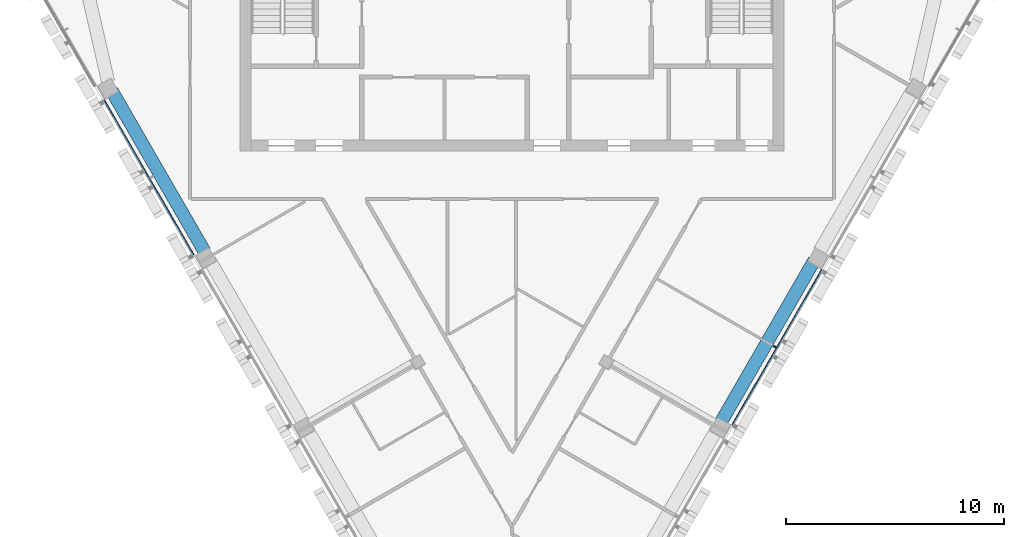
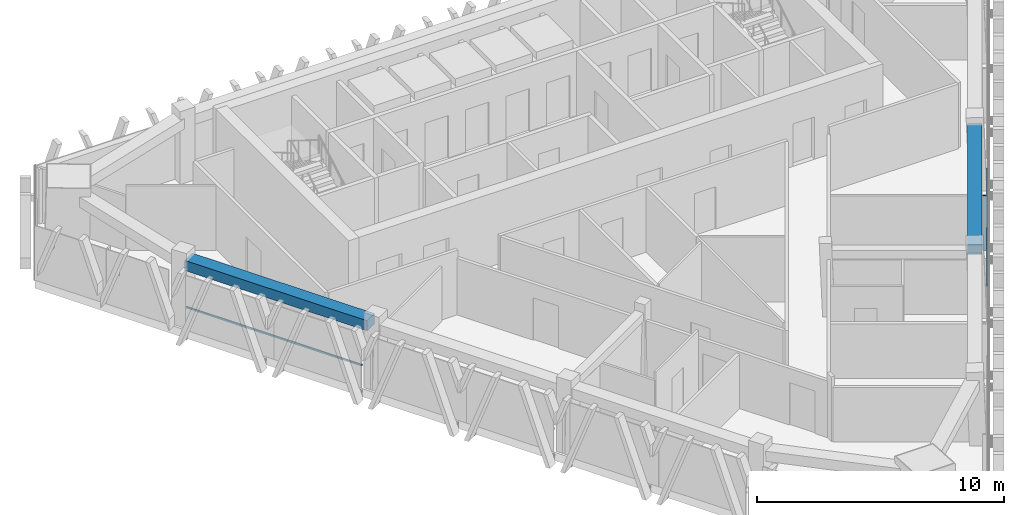
# One storey, part 3 of 14: 3 members, 2 beams, 2 elements without a shape of their own.
"""IFC4 building model written with IfcOpenShell, lengths in metres."""

from ifc_helpers import new_model, si_unit, direction, frame, origin, origin_2d, place, context, subcontext, project, spatial, rectangle, extrude, material, layer, layer_set, material_profile, profile_set, type_object, element, aggregate, save


model = new_model("IFC4")

# Units and contexts
model_context = context("Model", 3, precision=1e-05, world=origin(), true_north=direction((0.0, 1.0)))
body_context = subcontext(model_context, "Body", "Model", "MODEL_VIEW")
ifc_project = project(units=[si_unit("LENGTHUNIT", "METRE"), si_unit("AREAUNIT", "SQUARE_METRE"), si_unit("VOLUMEUNIT", "CUBIC_METRE"), si_unit("PLANEANGLEUNIT", "RADIAN"), si_unit("MASSUNIT", "GRAM", prefix="KILO")], contexts=[model_context])

# Site, building, storey
site_placement = place(None, origin())
site = spatial("IfcSite", under=ifc_project, at=site_placement, CompositionType="ELEMENT")
building_placement = place(site_placement, origin())
building = spatial("IfcBuilding", under=site, at=building_placement, Name="Altiplano Prism Tower", CompositionType="ELEMENT")
storey_placement = place(building_placement, frame((0.0, 0.0, 295.0)))
storey = spatial("IfcBuildingStorey", under=building, at=storey_placement, Name="L76", CompositionType="ELEMENT", Elevation=295.0)

# Curtain wall, member
ifc_material_1 = material(Name="Aluminium and glass", Category="aluminium")
ifc_layer = layer(ifc_material_1, 0.280029296875)
ifc_layer_set = layer_set([ifc_layer], Name="Aluminium and glass")
curtain_wall_type = type_object("IfcCurtainWallType", Name="CW1 typical co-living unitised curtain wall", PredefinedType="NOTDEFINED", material=ifc_layer_set)
curtain_wall_1_placement = place(storey_placement, origin())
curtain_wall_1 = element("IfcCurtainWall", 1, at=curtain_wall_1_placement, inside=storey, type_object=curtain_wall_type, Name="CW1 curtain wall south-east face L76", PredefinedType="NOTDEFINED")
ifc_material_2 = material(Name="Aluminium", Category="aluminium")
ifc_material_profile_1 = material_profile(ifc_material_2, rectangle(XDim=0.179931640625, YDim=0.06494140625, at=origin_2d()), Name="CW1 mullion 65 x 180")
ifc_profile_set_1 = profile_set([ifc_material_profile_1], Name="Aluminium")
member_type_1 = type_object("IfcMemberType", Name="CW1 mullion 65 x 180", PredefinedType="MULLION", material=ifc_profile_set_1)
member_1_placement = place(storey_placement, frame((97.067138671875, 83.908935546875, 0.0), z_axis=(0.0, 0.0, 1.0), x_axis=(-0.866025409195, 0.499999990629, 0.0)))
member_1 = element("IfcMember", 2, at=member_1_placement, type_object=member_type_1, Name="CW1 mullion", PredefinedType="MULLION", context=body_context, shape_type="SweptSolid", body=[
    extrude(rectangle(XDim=0.179931640625, YDim=0.06494140625, at=origin_2d()), origin(), (0.0, 0.0, 1.0), 2.699951171875),
])

curtain_wall_2_placement = place(storey_placement, origin())
curtain_wall_2 = element("IfcCurtainWall", 3, at=curtain_wall_2_placement, inside=storey, type_object=curtain_wall_type, Name="CW1 curtain wall south-west face L76", PredefinedType="NOTDEFINED")
ifc_material_profile_2 = material_profile(ifc_material_2, rectangle(XDim=0.06005859375, YDim=0.080078125, at=origin_2d()), Name="CW1 transom 80 x 60")
ifc_profile_set_2 = profile_set([ifc_material_profile_2], Name="Aluminium")
member_type_2 = type_object("IfcMemberType", Name="CW1 transom 80 x 60", PredefinedType="USERDEFINED", material=ifc_profile_set_2)
member_2_placement = place(storey_placement, frame((66.254150390625, 95.23681640625, 1.10009765625), z_axis=(0.499991554064, -0.866030279993, 0.0), x_axis=(0.866030279993, 0.499991554064, 0.0)))
member_2 = element("IfcMember", 4, at=member_2_placement, type_object=member_type_2, Name="CW1 transom", ObjectType="TRANSOM", PredefinedType="USERDEFINED", context=body_context, shape_type="SweptSolid", body=[
    extrude(rectangle(XDim=0.06005859375, YDim=0.080078125, at=origin_2d()), origin(), (0.0, 0.0, 1.0), 8.219970703125),
])
aggregate(curtain_wall_2, [member_2])

# Member
member_3_placement = place(storey_placement, frame((95.135986328125, 80.323974609375, 1.10009765625), z_axis=(0.499991554064, 0.866030279993, 0.0), x_axis=(-0.866030279993, 0.499991554064, 0.0)))
member_3 = element("IfcMember", 5, at=member_3_placement, type_object=member_type_2, Name="CW1 transom", ObjectType="TRANSOM", PredefinedType="USERDEFINED", context=body_context, shape_type="SweptSolid", body=[
    extrude(rectangle(XDim=0.06005859375, YDim=0.080078125, at=origin_2d()), origin(), (0.0, 0.0, 1.0), 8.219970703125),
])

aggregate(curtain_wall_1, [member_1, member_3])

# Beams
ifc_material_3 = material(Name="Concrete C60/75", Category="concrete")
ifc_material_profile_3 = material_profile(ifc_material_3, rectangle(XDim=0.60009765625, YDim=0.5, at=origin_2d()), Name="Edge beam 600x500")
ifc_profile_set_3 = profile_set([ifc_material_profile_3], Name="Concrete C60/75")
beam_type = type_object("IfcBeamType", Name="Edge beam 600x500", PredefinedType="SPANDREL", material=ifc_profile_set_3)
for number, where, z_axis, x_axis, name in (
    (6, (66.60302734375, 95.669677734375, 2.949951171875), (0.500007039007, -0.866021339774, 0.0), (0.866021339774, 0.500007039007, 0.0), "Edge beam P11-P12 L77"),
    (7, (94.626953125, 80.4794921875, 2.949951171875), (0.499994660107, 0.866028486751, 0.0), (-0.866028486751, 0.499994660107, 0.0), "Edge beam P22-P23 L77"),
):
    element("IfcBeam", number, at=place(storey_placement, frame(where, z_axis=z_axis, x_axis=x_axis)), inside=storey, type_object=beam_type, Name=name, PredefinedType="SPANDREL", context=body_context, shape_type="SweptSolid", body=[
        extrude(rectangle(XDim=0.60009765625, YDim=0.5, at=origin_2d()), origin(), (0.0, 0.0, 1.0), 8.5400390625),
    ])

save(model, "model.ifc")
